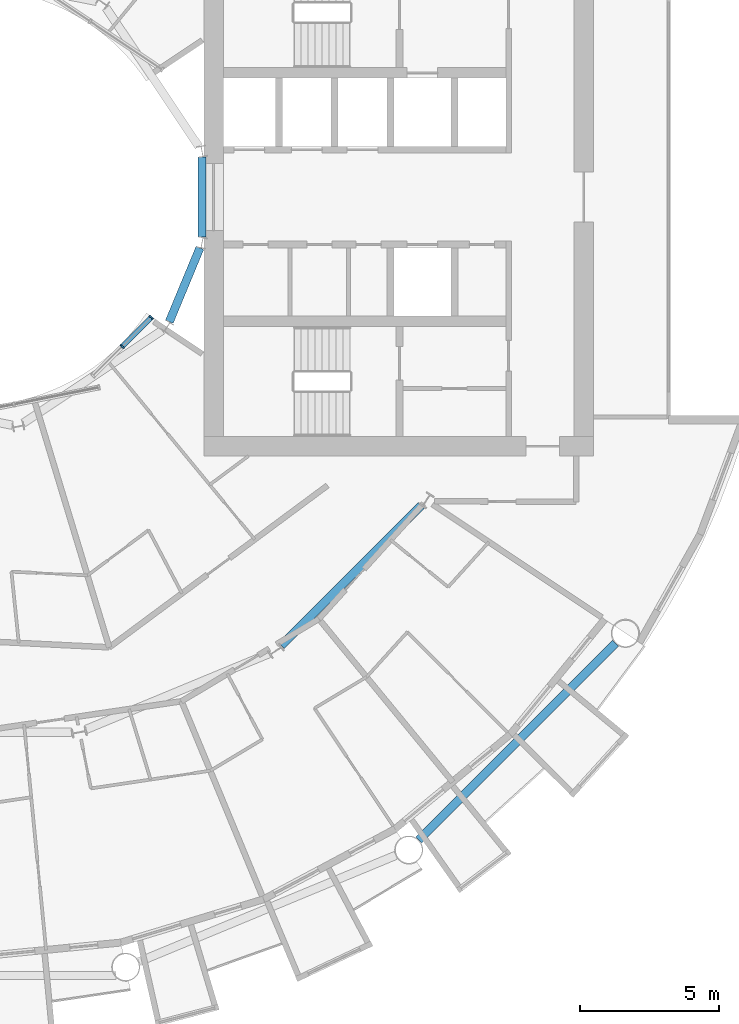
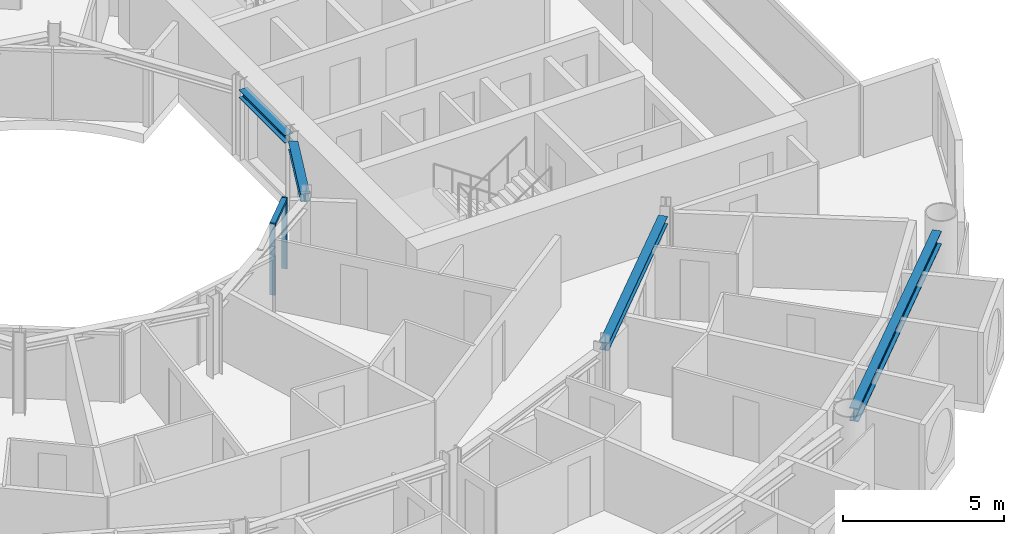
# One storey, part 6 of 26: 4 beams, 3 members, 1 element without a shape of its own.
"""IFC4 building model written with IfcOpenShell, lengths in metres."""

from ifc_helpers import new_model, si_unit, direction, frame, origin, origin_2d, place, context, subcontext, project, spatial, rectangle, i_section, extrude, material, layer, layer_set, material_profile, profile_set, type_object, element, aggregate, save


model = new_model("IFC4")

# Units and contexts
model_context = context("Model", 3, precision=1e-05, world=origin(), true_north=direction((0.0, 1.0)))
body_context = subcontext(model_context, "Body", "Model", "MODEL_VIEW")
ifc_project = project(units=[si_unit("LENGTHUNIT", "METRE"), si_unit("AREAUNIT", "SQUARE_METRE"), si_unit("VOLUMEUNIT", "CUBIC_METRE"), si_unit("PLANEANGLEUNIT", "RADIAN"), si_unit("MASSUNIT", "GRAM", prefix="KILO")], contexts=[model_context])

# Site, building, storey
site_placement = place(None, origin())
site = spatial("IfcSite", under=ifc_project, at=site_placement, CompositionType="ELEMENT")
building_placement = place(site_placement, origin())
building = spatial("IfcBuilding", under=site, at=building_placement, Name="Maasbend Ring Residences", CompositionType="ELEMENT")
storey_placement = place(building_placement, frame((0.0, 0.0, 75.800048828125)))
storey = spatial("IfcBuildingStorey", under=building, at=storey_placement, Name="L21", CompositionType="ELEMENT", Elevation=75.800048828125)

# Curtain wall, members
ifc_material_1 = material(Name="Aluminium and clear glass", Category="aluminium")
ifc_layer = layer(ifc_material_1, 0.179931640625)
ifc_layer_set = layer_set([ifc_layer], Name="CW-W")
curtain_wall_type = type_object("IfcCurtainWallType", Name="CW-W", PredefinedType="NOTDEFINED", material=ifc_layer_set)
curtain_wall_placement = place(storey_placement, origin())
curtain_wall = element("IfcCurtainWall", 1, at=curtain_wall_placement, inside=storey, type_object=curtain_wall_type, Name="Well curtain wall S3", PredefinedType="NOTDEFINED")
ifc_material_2 = material(Name="Aluminium 6063-T6", Category="aluminium")
ifc_material_profile_1 = material_profile(ifc_material_2, rectangle(XDim=0.179931640625, YDim=0.06005859375, at=origin_2d()), Name="AL 180x60")
ifc_profile_set_1 = profile_set([ifc_material_profile_1], Name="Aluminium 6063-T6")
member_type_1 = type_object("IfcMemberType", Name="CWM-W", PredefinedType="MULLION", material=ifc_profile_set_1)
member_1_placement = place(storey_placement, frame((5.366943359375, -5.366943359375, 0.0), z_axis=(0.0, 0.0, 1.0), x_axis=(-0.707106781187, 0.707106781187, 0.0)))
member_1 = element("IfcMember", 2, at=member_1_placement, type_object=member_type_1, Name="Mullion well face", PredefinedType="MULLION", context=body_context, shape_type="SweptSolid", body=[
    extrude(rectangle(XDim=0.179931640625, YDim=0.06005859375, at=origin_2d()), origin(), (0.0, 0.0, 1.0), 2.699951171875),
])
member_2_placement = place(storey_placement, frame((6.413330078125, -4.320556640625, 0.0), z_axis=(0.0, 0.0, 1.0), x_axis=(-0.707106781187, 0.707106781187, 0.0)))
member_2 = element("IfcMember", 3, at=member_2_placement, type_object=member_type_1, Name="Mullion well face", PredefinedType="MULLION", context=body_context, shape_type="SweptSolid", body=[
    extrude(rectangle(XDim=0.179931640625, YDim=0.06005859375, at=origin_2d()), origin(), (0.0, 0.0, 1.0), 2.699951171875),
])
ifc_material_3 = material(Name="Aluminium 6063-T6", Category="aluminium")
ifc_material_profile_2 = material_profile(ifc_material_3, rectangle(XDim=0.179931640625, YDim=0.1201171875, at=origin_2d()), Name="AL 180x120")
ifc_profile_set_2 = profile_set([ifc_material_profile_2], Name="Aluminium 6063-T6")
member_type_2 = type_object("IfcMemberType", Name="CWT-W", PredefinedType="USERDEFINED", material=ifc_profile_set_2)
member_3_placement = place(storey_placement, frame((5.38818359375, -5.345703125, 2.639892578125), z_axis=(0.707106781187, 0.707106781187, 0.0), x_axis=(-0.707106781187, 0.707106781187, 0.0)))
member_3 = element("IfcMember", 4, at=member_3_placement, type_object=member_type_2, Name="Transom well face", ObjectType="TRANSOM", PredefinedType="USERDEFINED", context=body_context, shape_type="SweptSolid", body=[
    extrude(rectangle(XDim=0.179931640625, YDim=0.1201171875, at=origin_2d()), origin(), (0.0, 0.0, 1.0), 1.419677734375),
])
aggregate(curtain_wall, [member_1, member_2, member_3])

# Beams
ifc_material_4 = material(Name="Steel S355J2", Category="steel")
ifc_material_profile_3 = material_profile(ifc_material_4, i_section(OverallWidth=0.300048828125, OverallDepth=0.300048828125, WebThickness=0.010986328125, FlangeThickness=0.01904296875, FilletRadius=0.027099609375, at=origin_2d()), Name="HEB 300")
ifc_profile_set_3 = profile_set([ifc_material_profile_3], Name="Steel S355J2")
beam_type_1 = type_object("IfcBeamType", Name="Corridor ring beam HEB 300", PredefinedType="BEAM", material=ifc_profile_set_3)
beam_1_placement = place(storey_placement, frame((11.078125, -16.10791015625, 2.550048828125), z_axis=(0.707106781187, 0.707106781187, 0.0), x_axis=(-0.707106781187, 0.707106781187, 0.0)))
element("IfcBeam", 5, at=beam_1_placement, inside=storey, type_object=beam_type_1, Name="Corridor ring beam", PredefinedType="BEAM", context=body_context, shape_type="SweptSolid", body=[
    extrude(i_section(OverallWidth=0.300048828125, OverallDepth=0.300048828125, WebThickness=0.010986328125, FlangeThickness=0.01904296875, FilletRadius=0.027099609375, at=origin_2d()), origin(), (0.0, 0.0, 1.0), 7.11328125),
])
ifc_material_5 = material(Name="Steel S355J2", Category="steel")
ifc_material_profile_4 = material_profile(ifc_material_5, i_section(OverallWidth=0.300048828125, OverallDepth=0.5, WebThickness=0.014404296875, FlangeThickness=0.028076171875, FilletRadius=0.027099609375, at=origin_2d()), Name="HEB 500")
ifc_profile_set_4 = profile_set([ifc_material_profile_4], Name="Steel S355J2")
beam_type_2 = type_object("IfcBeamType", Name="Spandrel ring beam HEB 500", PredefinedType="SPANDREL", material=ifc_profile_set_4)
beam_2_placement = place(storey_placement, frame((16.0263671875, -23.088134765625, 2.449951171875), z_axis=(0.707106781187, 0.707106781187, 0.0), x_axis=(-0.707106781187, 0.707106781187, 0.0)))
element("IfcBeam", 6, at=beam_2_placement, inside=storey, type_object=beam_type_2, Name="Spandrel ring beam", PredefinedType="SPANDREL", context=body_context, shape_type="SweptSolid", body=[
    extrude(i_section(OverallWidth=0.300048828125, OverallDepth=0.5, WebThickness=0.014404296875, FlangeThickness=0.028076171875, FilletRadius=0.027099609375, at=origin_2d()), origin(), (0.0, 0.0, 1.0), 9.98681640625),
])
ifc_material_6 = material(Name="Steel S355J2", Category="steel")
ifc_material_profile_5 = material_profile(ifc_material_6, i_section(OverallWidth=0.300048828125, OverallDepth=0.300048828125, WebThickness=0.010986328125, FlangeThickness=0.01904296875, FilletRadius=0.027099609375, at=origin_2d()), Name="HEB 300")
ifc_profile_set_5 = profile_set([ifc_material_profile_5], Name="Steel S355J2")
beam_type_3 = type_object("IfcBeamType", Name="Well edge beam HEB 300", PredefinedType="BEAM", material=ifc_profile_set_5)
beam_3_placement = place(storey_placement, frame((7.062255859375, -4.478515625, 2.550048828125), z_axis=(0.382729955172, 0.923860260761, 0.0), x_axis=(-0.923860260761, 0.382729955172, 0.0)))
element("IfcBeam", 7, at=beam_3_placement, inside=storey, type_object=beam_type_3, Name="Well edge beam", PredefinedType="BEAM", context=body_context, shape_type="SweptSolid", body=[
    extrude(i_section(OverallWidth=0.300048828125, OverallDepth=0.300048828125, WebThickness=0.010986328125, FlangeThickness=0.01904296875, FilletRadius=0.027099609375, at=origin_2d()), origin(), (0.0, 0.0, 1.0), 2.869873046875),
])
beam_4_placement = place(storey_placement, frame((8.238525390625, -1.434814453125, 2.550048828125), z_axis=(0.0, 1.0, 0.0), x_axis=(-1.0, 0.0, 0.0)))
element("IfcBeam", 8, at=beam_4_placement, inside=storey, type_object=beam_type_3, Name="Well edge beam", PredefinedType="BEAM", context=body_context, shape_type="SweptSolid", body=[
    extrude(i_section(OverallWidth=0.300048828125, OverallDepth=0.300048828125, WebThickness=0.010986328125, FlangeThickness=0.01904296875, FilletRadius=0.027099609375, at=origin_2d()), origin(), (0.0, 0.0, 1.0), 2.86962890625),
])

save(model, "model.ifc")
